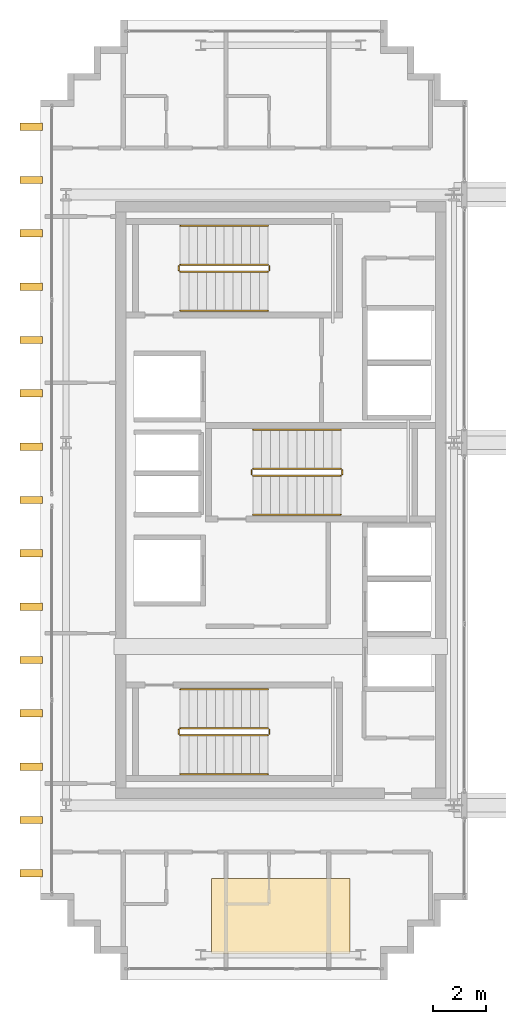
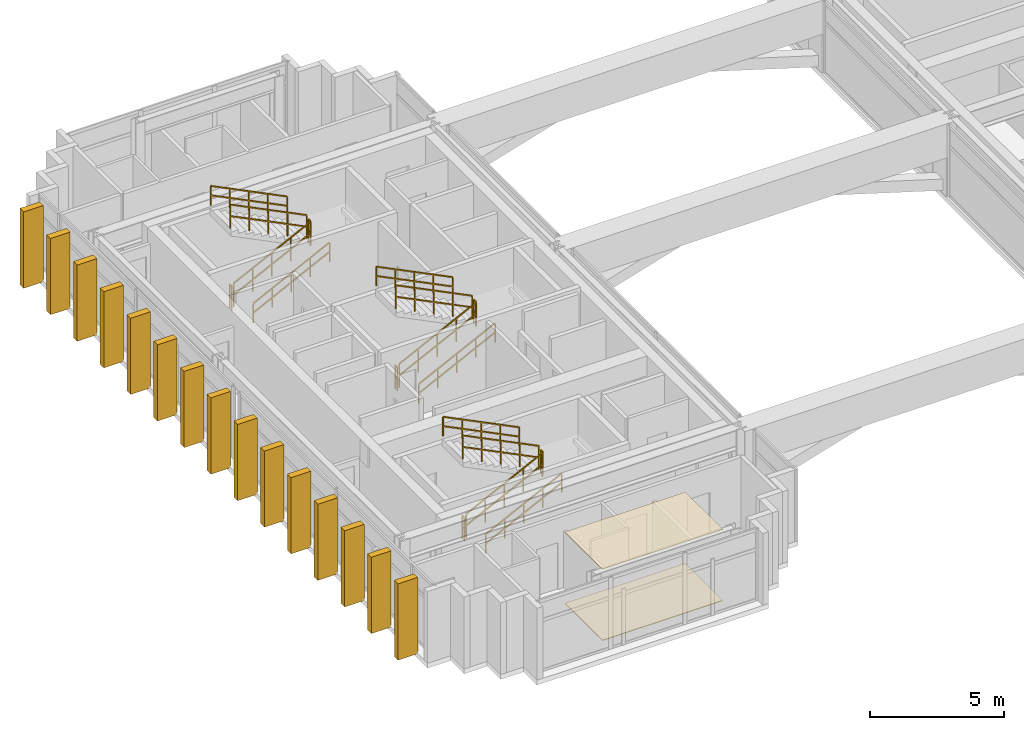
# One storey, part 27 of 28: 18 railings, 15 shading devices, 2 coverings.
"""IFC4 building model written with IfcOpenShell, lengths in metres."""

from ifc_helpers import new_model, si_unit, direction, frame, origin, origin_2d, place, context, subcontext, project, spatial, polyline, rectangle, outline, extrude, source, transform, mapped, material, layer, layer_set, type_object, element, save


model = new_model("IFC4")

# Units and contexts
model_context = context("Model", 3, precision=1e-05, world=origin(), true_north=direction((0.0, 1.0)))
body_context = subcontext(model_context, "Body", "Model", "MODEL_VIEW")
ifc_project = project(units=[si_unit("LENGTHUNIT", "METRE"), si_unit("AREAUNIT", "SQUARE_METRE"), si_unit("VOLUMEUNIT", "CUBIC_METRE"), si_unit("PLANEANGLEUNIT", "RADIAN"), si_unit("MASSUNIT", "GRAM", prefix="KILO")], contexts=[model_context])

# Site, building, storey
site_placement = place(None, origin())
site = spatial("IfcSite", under=ifc_project, at=site_placement, CompositionType="ELEMENT")
building_placement = place(site_placement, origin())
building = spatial("IfcBuilding", under=site, at=building_placement, Name="Ocotamira Hotel", CompositionType="ELEMENT")
storey_placement = place(building_placement, frame((0.0, 0.0, 268.800048828125)))
storey = spatial("IfcBuildingStorey", under=building, at=storey_placement, Name="L68", CompositionType="ELEMENT", Elevation=268.800048828125)

# Coverings
ifc_material_1 = material(Name="Perforated acoustic gypsum ceiling board", Category="gypsum")
ifc_layer_1 = layer(ifc_material_1, 0.02490234375)
ifc_layer_set_1 = layer_set([ifc_layer_1], Name="Perforated acoustic gypsum ceiling board")
covering_type_1 = type_object("IfcCoveringType", Name="COV-CEIL-25", PredefinedType="CEILING", material=ifc_layer_set_1)
covering_1_placement = place(storey_placement, frame((0.0, 0.0, 3.2548828125)))
element("IfcCovering", 1, at=covering_1_placement, inside=storey, type_object=covering_type_1, Name="L68 Acoustic Ceiling", PredefinedType="CEILING", context=body_context, shape_type="SweptSolid", body=[
    extrude(outline(polyline([(14.39990234375, 9.0), (19.60009765625, 9.0), (19.60009765625, 11.800048828125), (14.39990234375, 11.800048828125), (14.39990234375, 9.0)])), origin(), (0.0, 0.0, 1.0), 0.025146484375),
])
ifc_material_2 = material(Name="Honed desert travertine stone flooring", Category="masonry")
ifc_layer_2 = layer(ifc_material_2, 0.030029296875)
ifc_layer_set_2 = layer_set([ifc_layer_2], Name="Honed desert travertine stone flooring")
covering_type_2 = type_object("IfcCoveringType", Name="COV-FLOR-30", PredefinedType="FLOORING", material=ifc_layer_set_2)
covering_2_placement = place(storey_placement, origin())
element("IfcCovering", 2, at=covering_2_placement, inside=storey, type_object=covering_type_2, Name="L68 Honed Stone Floor Finish", PredefinedType="FLOORING", context=body_context, shape_type="SweptSolid", body=[
    extrude(outline(polyline([(14.39990234375, 9.0), (19.60009765625, 9.0), (19.60009765625, 11.800048828125), (14.39990234375, 11.800048828125), (14.39990234375, 9.0)])), origin(), (0.0, 0.0, 1.0), 0.030029296875),
])

# Railings
ifc_material_3 = material(Name="Brushed stainless steel handrail", Category="steel")
railing_type_1 = type_object("IfcRailingType", Name="RL-HAND-900", PredefinedType="HANDRAIL", material=ifc_material_3)
railing_1_placement = place(storey_placement, frame((13.22998046875, 15.719970703125, 0.3271484375)))
element("IfcRailing", 3, at=railing_1_placement, inside=storey, type_object=railing_type_1, Name="L68 ST-1 stair handrail 1", PredefinedType="HANDRAIL", context=body_context, shape_type="SweptSolid", body=[
    extrude(rectangle(XDim=0.048095703125, YDim=0.048095703125, at=origin_2d()), frame((0.0, 0.0, 0.8759765625), z_axis=(0.895893744519, 0.0, 0.4442683857), x_axis=(0.0, 1.0, 0.0)), (0.0, 0.0, 1.0), 3.68359375),
    extrude(rectangle(XDim=0.048095703125, YDim=0.048095703125, at=origin_2d()), frame((0.0, 0.0, 0.449951171875), z_axis=(0.895893744519, 0.0, 0.4442683857), x_axis=(0.0, 1.0, 0.0)), (0.0, 0.0, 1.0), 3.68359375),
    extrude(rectangle(XDim=0.0419921875, YDim=0.0419921875, at=origin_2d()), origin(), (0.0, 0.0, 1.0), 0.851806640625),
    extrude(rectangle(XDim=0.0419921875, YDim=0.0419921875, at=origin_2d()), frame((0.824951171875, 0.0, 0.4091796875)), (0.0, 0.0, 1.0), 0.851806640625),
    extrude(rectangle(XDim=0.0419921875, YDim=0.0419921875, at=origin_2d()), frame((1.64990234375, 0.0, 0.818359375)), (0.0, 0.0, 1.0), 0.851806640625),
    extrude(rectangle(XDim=0.0419921875, YDim=0.0419921875, at=origin_2d()), frame((2.47509765625, 0.0, 1.227294921875)), (0.0, 0.0, 1.0), 0.851806640625),
    extrude(rectangle(XDim=0.0419921875, YDim=0.0419921875, at=origin_2d()), frame((3.300048828125, 0.0, 1.636474609375)), (0.0, 0.0, 1.0), 0.851806640625),
])
railing_2_placement = place(storey_placement, frame((16.530029296875, 18.89990234375, 2.127197265625)))
element("IfcRailing", 4, at=railing_2_placement, inside=storey, type_object=railing_type_1, Name="L68 ST-1 stair handrail 2", PredefinedType="HANDRAIL", context=body_context, shape_type="SweptSolid", body=[
    extrude(rectangle(XDim=0.048095703125, YDim=0.048095703125, at=origin_2d()), frame((0.0, 0.0, 0.8759765625), z_axis=(-0.895893744519, 0.0, 0.4442683857), x_axis=(0.0, -1.0, 0.0)), (0.0, 0.0, 1.0), 3.68359375),
    extrude(rectangle(XDim=0.048095703125, YDim=0.048095703125, at=origin_2d()), frame((0.0, 0.0, 0.449951171875), z_axis=(-0.895893744519, 0.0, 0.4442683857), x_axis=(0.0, -1.0, 0.0)), (0.0, 0.0, 1.0), 3.68359375),
    extrude(rectangle(XDim=0.0419921875, YDim=0.0419921875, at=origin_2d()), origin(), (0.0, 0.0, 1.0), 0.851806640625),
    extrude(rectangle(XDim=0.0419921875, YDim=0.0419921875, at=origin_2d()), frame((-0.824951171875, 0.0, 0.4091796875)), (0.0, 0.0, 1.0), 0.851806640625),
    extrude(rectangle(XDim=0.0419921875, YDim=0.0419921875, at=origin_2d()), frame((-1.64990234375, 0.0, 0.818359375)), (0.0, 0.0, 1.0), 0.851806640625),
    extrude(rectangle(XDim=0.0419921875, YDim=0.0419921875, at=origin_2d()), frame((-2.47509765625, 0.0, 1.227294921875)), (0.0, 0.0, 1.0), 0.851806640625),
    extrude(rectangle(XDim=0.0419921875, YDim=0.0419921875, at=origin_2d()), frame((-3.300048828125, 0.0, 1.636474609375)), (0.0, 0.0, 1.0), 0.851806640625),
])
railing_3_placement = place(storey_placement, frame((13.22998046875, 33.10009765625, 0.3271484375)))
element("IfcRailing", 5, at=railing_3_placement, inside=storey, type_object=railing_type_1, Name="L68 ST-2 stair handrail 1", PredefinedType="HANDRAIL", context=body_context, shape_type="SweptSolid", body=[
    extrude(rectangle(XDim=0.048095703125, YDim=0.048095703125, at=origin_2d()), frame((0.0, 0.0, 0.8759765625), z_axis=(0.895893744519, 0.0, 0.4442683857), x_axis=(0.0, 1.0, 0.0)), (0.0, 0.0, 1.0), 3.68359375),
    extrude(rectangle(XDim=0.048095703125, YDim=0.048095703125, at=origin_2d()), frame((0.0, 0.0, 0.449951171875), z_axis=(0.895893744519, 0.0, 0.4442683857), x_axis=(0.0, 1.0, 0.0)), (0.0, 0.0, 1.0), 3.68359375),
    extrude(rectangle(XDim=0.0419921875, YDim=0.0419921875, at=origin_2d()), origin(), (0.0, 0.0, 1.0), 0.851806640625),
    extrude(rectangle(XDim=0.0419921875, YDim=0.0419921875, at=origin_2d()), frame((0.824951171875, 0.0, 0.4091796875)), (0.0, 0.0, 1.0), 0.851806640625),
    extrude(rectangle(XDim=0.0419921875, YDim=0.0419921875, at=origin_2d()), frame((1.64990234375, 0.0, 0.818359375)), (0.0, 0.0, 1.0), 0.851806640625),
    extrude(rectangle(XDim=0.0419921875, YDim=0.0419921875, at=origin_2d()), frame((2.47509765625, 0.0, 1.227294921875)), (0.0, 0.0, 1.0), 0.851806640625),
    extrude(rectangle(XDim=0.0419921875, YDim=0.0419921875, at=origin_2d()), frame((3.300048828125, 0.0, 1.636474609375)), (0.0, 0.0, 1.0), 0.851806640625),
])
railing_4_placement = place(storey_placement, frame((16.530029296875, 36.280029296875, 2.127197265625)))
element("IfcRailing", 6, at=railing_4_placement, inside=storey, type_object=railing_type_1, Name="L68 ST-2 stair handrail 2", PredefinedType="HANDRAIL", context=body_context, shape_type="SweptSolid", body=[
    extrude(rectangle(XDim=0.048095703125, YDim=0.048095703125, at=origin_2d()), frame((0.0, 0.0, 0.8759765625), z_axis=(-0.895893744519, 0.0, 0.4442683857), x_axis=(0.0, -1.0, 0.0)), (0.0, 0.0, 1.0), 3.68359375),
    extrude(rectangle(XDim=0.048095703125, YDim=0.048095703125, at=origin_2d()), frame((0.0, 0.0, 0.449951171875), z_axis=(-0.895893744519, 0.0, 0.4442683857), x_axis=(0.0, -1.0, 0.0)), (0.0, 0.0, 1.0), 3.68359375),
    extrude(rectangle(XDim=0.0419921875, YDim=0.0419921875, at=origin_2d()), origin(), (0.0, 0.0, 1.0), 0.851806640625),
    extrude(rectangle(XDim=0.0419921875, YDim=0.0419921875, at=origin_2d()), frame((-0.824951171875, 0.0, 0.4091796875)), (0.0, 0.0, 1.0), 0.851806640625),
    extrude(rectangle(XDim=0.0419921875, YDim=0.0419921875, at=origin_2d()), frame((-1.64990234375, 0.0, 0.818359375)), (0.0, 0.0, 1.0), 0.851806640625),
    extrude(rectangle(XDim=0.0419921875, YDim=0.0419921875, at=origin_2d()), frame((-2.47509765625, 0.0, 1.227294921875)), (0.0, 0.0, 1.0), 0.851806640625),
    extrude(rectangle(XDim=0.0419921875, YDim=0.0419921875, at=origin_2d()), frame((-3.300048828125, 0.0, 1.636474609375)), (0.0, 0.0, 1.0), 0.851806640625),
])
railing_5_placement = place(storey_placement, frame((15.9599609375, 25.449951171875, 0.3271484375)))
element("IfcRailing", 7, at=railing_5_placement, inside=storey, type_object=railing_type_1, Name="L68 ST-3 stair handrail 1", PredefinedType="HANDRAIL", context=body_context, shape_type="SweptSolid", body=[
    extrude(rectangle(XDim=0.048095703125, YDim=0.048095703125, at=origin_2d()), frame((0.0, 0.0, 0.8759765625), z_axis=(0.895893744519, 0.0, 0.4442683857), x_axis=(0.0, 1.0, 0.0)), (0.0, 0.0, 1.0), 3.68359375),
    extrude(rectangle(XDim=0.048095703125, YDim=0.048095703125, at=origin_2d()), frame((0.0, 0.0, 0.449951171875), z_axis=(0.895893744519, 0.0, 0.4442683857), x_axis=(0.0, 1.0, 0.0)), (0.0, 0.0, 1.0), 3.68359375),
    extrude(rectangle(XDim=0.0419921875, YDim=0.0419921875, at=origin_2d()), origin(), (0.0, 0.0, 1.0), 0.851806640625),
    extrude(rectangle(XDim=0.0419921875, YDim=0.0419921875, at=origin_2d()), frame((0.824951171875, 0.0, 0.4091796875)), (0.0, 0.0, 1.0), 0.851806640625),
    extrude(rectangle(XDim=0.0419921875, YDim=0.0419921875, at=origin_2d()), frame((1.64990234375, 0.0, 0.818359375)), (0.0, 0.0, 1.0), 0.851806640625),
    extrude(rectangle(XDim=0.0419921875, YDim=0.0419921875, at=origin_2d()), frame((2.47509765625, 0.0, 1.227294921875)), (0.0, 0.0, 1.0), 0.851806640625),
    extrude(rectangle(XDim=0.0419921875, YDim=0.0419921875, at=origin_2d()), frame((3.300048828125, 0.0, 1.636474609375)), (0.0, 0.0, 1.0), 0.851806640625),
])
railing_6_placement = place(storey_placement, frame((19.260009765625, 28.6298828125, 2.127197265625)))
element("IfcRailing", 8, at=railing_6_placement, inside=storey, type_object=railing_type_1, Name="L68 ST-3 stair handrail 2", PredefinedType="HANDRAIL", context=body_context, shape_type="SweptSolid", body=[
    extrude(rectangle(XDim=0.048095703125, YDim=0.048095703125, at=origin_2d()), frame((0.0, 0.0, 0.8759765625), z_axis=(-0.895893744519, 0.0, 0.4442683857), x_axis=(0.0, -1.0, 0.0)), (0.0, 0.0, 1.0), 3.68359375),
    extrude(rectangle(XDim=0.048095703125, YDim=0.048095703125, at=origin_2d()), frame((0.0, 0.0, 0.449951171875), z_axis=(-0.895893744519, 0.0, 0.4442683857), x_axis=(0.0, -1.0, 0.0)), (0.0, 0.0, 1.0), 3.68359375),
    extrude(rectangle(XDim=0.0419921875, YDim=0.0419921875, at=origin_2d()), origin(), (0.0, 0.0, 1.0), 0.851806640625),
    extrude(rectangle(XDim=0.0419921875, YDim=0.0419921875, at=origin_2d()), frame((-0.824951171875, 0.0, 0.4091796875)), (0.0, 0.0, 1.0), 0.851806640625),
    extrude(rectangle(XDim=0.0419921875, YDim=0.0419921875, at=origin_2d()), frame((-1.64990234375, 0.0, 0.818359375)), (0.0, 0.0, 1.0), 0.851806640625),
    extrude(rectangle(XDim=0.0419921875, YDim=0.0419921875, at=origin_2d()), frame((-2.47509765625, 0.0, 1.227294921875)), (0.0, 0.0, 1.0), 0.851806640625),
    extrude(rectangle(XDim=0.0419921875, YDim=0.0419921875, at=origin_2d()), frame((-3.300048828125, 0.0, 1.636474609375)), (0.0, 0.0, 1.0), 0.851806640625),
])
ifc_material_4 = material(Name="Painted steel stair guardrail", Category="steel")
railing_type_2 = type_object("IfcRailingType", Name="RL-STAIR-1100", PredefinedType="GUARDRAIL", material=ifc_material_4)
railing_7_placement = place(storey_placement, frame((13.22998046875, 17.179931640625, 0.16357421875)))
element("IfcRailing", 9, at=railing_7_placement, inside=storey, type_object=railing_type_2, Name="L68 ST-1 stair guard 1", PredefinedType="GUARDRAIL", context=body_context, shape_type="SweptSolid", body=[
    extrude(rectangle(XDim=0.048095703125, YDim=0.048095703125, at=origin_2d()), frame((0.0, 0.0, 1.076171875), z_axis=(0.895893744519, 0.0, 0.4442683857), x_axis=(0.0, 1.0, 0.0)), (0.0, 0.0, 1.0), 3.68359375),
    extrude(rectangle(XDim=0.048095703125, YDim=0.048095703125, at=origin_2d()), frame((0.0, 0.0, 0.550048828125), z_axis=(0.895893744519, 0.0, 0.4442683857), x_axis=(0.0, 1.0, 0.0)), (0.0, 0.0, 1.0), 3.68359375),
    extrude(rectangle(XDim=0.0419921875, YDim=0.0419921875, at=origin_2d()), origin(), (0.0, 0.0, 1.0), 1.052001953125),
    extrude(rectangle(XDim=0.0419921875, YDim=0.0419921875, at=origin_2d()), frame((0.824951171875, 0.0, 0.4091796875)), (0.0, 0.0, 1.0), 1.052001953125),
    extrude(rectangle(XDim=0.0419921875, YDim=0.0419921875, at=origin_2d()), frame((1.64990234375, 0.0, 0.818359375)), (0.0, 0.0, 1.0), 1.052001953125),
    extrude(rectangle(XDim=0.0419921875, YDim=0.0419921875, at=origin_2d()), frame((2.47509765625, 0.0, 1.227294921875)), (0.0, 0.0, 1.0), 1.052001953125),
    extrude(rectangle(XDim=0.0419921875, YDim=0.0419921875, at=origin_2d()), frame((3.300048828125, 0.0, 1.636474609375)), (0.0, 0.0, 1.0), 1.052001953125),
])
railing_8_placement = place(storey_placement, frame((16.580078125, 17.22998046875, 1.800048828125)))
element("IfcRailing", 10, at=railing_8_placement, inside=storey, type_object=railing_type_2, Name="L68 ST-1 stair guard 2", PredefinedType="GUARDRAIL", context=body_context, shape_type="SweptSolid", body=[
    extrude(rectangle(XDim=0.048095703125, YDim=0.048095703125, at=origin_2d()), frame((0.0, 0.0, 1.076171875), z_axis=(0.0, 1.0, 0.0), x_axis=(-1.0, 0.0, 0.0)), (0.0, 0.0, 1.0), 0.159912109375),
    extrude(rectangle(XDim=0.048095703125, YDim=0.048095703125, at=origin_2d()), frame((0.0, 0.0, 0.550048828125), z_axis=(0.0, 1.0, 0.0), x_axis=(-1.0, 0.0, 0.0)), (0.0, 0.0, 1.0), 0.159912109375),
    extrude(rectangle(XDim=0.0419921875, YDim=0.0419921875, at=origin_2d()), origin(), (0.0, 0.0, 1.0), 1.052001953125),
    extrude(rectangle(XDim=0.0419921875, YDim=0.0419921875, at=origin_2d()), frame((0.0, 0.159912109375, 0.0)), (0.0, 0.0, 1.0), 1.052001953125),
])
railing_9_placement = place(storey_placement, frame((16.530029296875, 17.43994140625, 1.963623046875)))
element("IfcRailing", 11, at=railing_9_placement, inside=storey, type_object=railing_type_2, Name="L68 ST-1 stair guard 3", PredefinedType="GUARDRAIL", context=body_context, shape_type="SweptSolid", body=[
    extrude(rectangle(XDim=0.048095703125, YDim=0.048095703125, at=origin_2d()), frame((0.0, 0.0, 1.076171875), z_axis=(-0.895920123917, 0.0, 0.444215186098), x_axis=(0.0, -1.0, 0.0)), (0.0, 0.0, 1.0), 3.683349609375),
    extrude(rectangle(XDim=0.048095703125, YDim=0.048095703125, at=origin_2d()), frame((0.0, 0.0, 0.550048828125), z_axis=(-0.895920123917, 0.0, 0.444215186098), x_axis=(0.0, -1.0, 0.0)), (0.0, 0.0, 1.0), 3.683349609375),
    extrude(rectangle(XDim=0.0419921875, YDim=0.0419921875, at=origin_2d()), origin(), (0.0, 0.0, 1.0), 1.052001953125),
    extrude(rectangle(XDim=0.0419921875, YDim=0.0419921875, at=origin_2d()), frame((-0.824951171875, 0.0, 0.4091796875)), (0.0, 0.0, 1.0), 1.052001953125),
    extrude(rectangle(XDim=0.0419921875, YDim=0.0419921875, at=origin_2d()), frame((-1.64990234375, 0.0, 0.818115234375)), (0.0, 0.0, 1.0), 1.052001953125),
    extrude(rectangle(XDim=0.0419921875, YDim=0.0419921875, at=origin_2d()), frame((-2.47509765625, 0.0, 1.22705078125)), (0.0, 0.0, 1.0), 1.052001953125),
    extrude(rectangle(XDim=0.0419921875, YDim=0.0419921875, at=origin_2d()), frame((-3.300048828125, 0.0, 1.63623046875)), (0.0, 0.0, 1.0), 1.052001953125),
])
railing_10_placement = place(storey_placement, frame((13.179931640625, 17.22998046875, 0.0)))
element("IfcRailing", 12, at=railing_10_placement, inside=storey, type_object=railing_type_2, Name="L68 ST-1 stair guard 4", PredefinedType="GUARDRAIL", context=body_context, shape_type="SweptSolid", body=[
    extrude(rectangle(XDim=0.048095703125, YDim=0.048095703125, at=origin_2d()), frame((0.0, 0.0, 1.076171875), z_axis=(0.0, 1.0, 0.0), x_axis=(-1.0, 0.0, 0.0)), (0.0, 0.0, 1.0), 0.159912109375),
    extrude(rectangle(XDim=0.048095703125, YDim=0.048095703125, at=origin_2d()), frame((0.0, 0.0, 0.550048828125), z_axis=(0.0, 1.0, 0.0), x_axis=(-1.0, 0.0, 0.0)), (0.0, 0.0, 1.0), 0.159912109375),
    extrude(rectangle(XDim=0.0419921875, YDim=0.0419921875, at=origin_2d()), origin(), (0.0, 0.0, 1.0), 1.052001953125),
    extrude(rectangle(XDim=0.0419921875, YDim=0.0419921875, at=origin_2d()), frame((0.0, 0.159912109375, 0.0)), (0.0, 0.0, 1.0), 1.052001953125),
])
railing_11_placement = place(storey_placement, frame((13.22998046875, 34.56005859375, 0.16357421875)))
element("IfcRailing", 13, at=railing_11_placement, inside=storey, type_object=railing_type_2, Name="L68 ST-2 stair guard 1", PredefinedType="GUARDRAIL", context=body_context, shape_type="SweptSolid", body=[
    extrude(rectangle(XDim=0.048095703125, YDim=0.048095703125, at=origin_2d()), frame((0.0, 0.0, 1.076171875), z_axis=(0.895893744519, 0.0, 0.4442683857), x_axis=(0.0, 1.0, 0.0)), (0.0, 0.0, 1.0), 3.68359375),
    extrude(rectangle(XDim=0.048095703125, YDim=0.048095703125, at=origin_2d()), frame((0.0, 0.0, 0.550048828125), z_axis=(0.895893744519, 0.0, 0.4442683857), x_axis=(0.0, 1.0, 0.0)), (0.0, 0.0, 1.0), 3.68359375),
    extrude(rectangle(XDim=0.0419921875, YDim=0.0419921875, at=origin_2d()), origin(), (0.0, 0.0, 1.0), 1.052001953125),
    extrude(rectangle(XDim=0.0419921875, YDim=0.0419921875, at=origin_2d()), frame((0.824951171875, 0.0, 0.4091796875)), (0.0, 0.0, 1.0), 1.052001953125),
    extrude(rectangle(XDim=0.0419921875, YDim=0.0419921875, at=origin_2d()), frame((1.64990234375, 0.0, 0.818359375)), (0.0, 0.0, 1.0), 1.052001953125),
    extrude(rectangle(XDim=0.0419921875, YDim=0.0419921875, at=origin_2d()), frame((2.47509765625, 0.0, 1.227294921875)), (0.0, 0.0, 1.0), 1.052001953125),
    extrude(rectangle(XDim=0.0419921875, YDim=0.0419921875, at=origin_2d()), frame((3.300048828125, 0.0, 1.636474609375)), (0.0, 0.0, 1.0), 1.052001953125),
])
railing_12_placement = place(storey_placement, frame((16.580078125, 34.610107421875, 1.800048828125)))
element("IfcRailing", 14, at=railing_12_placement, inside=storey, type_object=railing_type_2, Name="L68 ST-2 stair guard 2", PredefinedType="GUARDRAIL", context=body_context, shape_type="SweptSolid", body=[
    extrude(rectangle(XDim=0.048095703125, YDim=0.048095703125, at=origin_2d()), frame((0.0, 0.0, 1.076171875), z_axis=(0.0, 1.0, 0.0), x_axis=(-1.0, 0.0, 0.0)), (0.0, 0.0, 1.0), 0.159912109375),
    extrude(rectangle(XDim=0.048095703125, YDim=0.048095703125, at=origin_2d()), frame((0.0, 0.0, 0.550048828125), z_axis=(0.0, 1.0, 0.0), x_axis=(-1.0, 0.0, 0.0)), (0.0, 0.0, 1.0), 0.159912109375),
    extrude(rectangle(XDim=0.0419921875, YDim=0.0419921875, at=origin_2d()), origin(), (0.0, 0.0, 1.0), 1.052001953125),
    extrude(rectangle(XDim=0.0419921875, YDim=0.0419921875, at=origin_2d()), frame((0.0, 0.159912109375, 0.0)), (0.0, 0.0, 1.0), 1.052001953125),
])
railing_13_placement = place(storey_placement, frame((16.530029296875, 34.820068359375, 1.963623046875)))
element("IfcRailing", 15, at=railing_13_placement, inside=storey, type_object=railing_type_2, Name="L68 ST-2 stair guard 3", PredefinedType="GUARDRAIL", context=body_context, shape_type="SweptSolid", body=[
    extrude(rectangle(XDim=0.048095703125, YDim=0.048095703125, at=origin_2d()), frame((0.0, 0.0, 1.076171875), z_axis=(-0.895920123917, 0.0, 0.444215186098), x_axis=(0.0, -1.0, 0.0)), (0.0, 0.0, 1.0), 3.683349609375),
    extrude(rectangle(XDim=0.048095703125, YDim=0.048095703125, at=origin_2d()), frame((0.0, 0.0, 0.550048828125), z_axis=(-0.895920123917, 0.0, 0.444215186098), x_axis=(0.0, -1.0, 0.0)), (0.0, 0.0, 1.0), 3.683349609375),
    extrude(rectangle(XDim=0.0419921875, YDim=0.0419921875, at=origin_2d()), origin(), (0.0, 0.0, 1.0), 1.052001953125),
    extrude(rectangle(XDim=0.0419921875, YDim=0.0419921875, at=origin_2d()), frame((-0.824951171875, 0.0, 0.4091796875)), (0.0, 0.0, 1.0), 1.052001953125),
    extrude(rectangle(XDim=0.0419921875, YDim=0.0419921875, at=origin_2d()), frame((-1.64990234375, 0.0, 0.818115234375)), (0.0, 0.0, 1.0), 1.052001953125),
    extrude(rectangle(XDim=0.0419921875, YDim=0.0419921875, at=origin_2d()), frame((-2.47509765625, 0.0, 1.22705078125)), (0.0, 0.0, 1.0), 1.052001953125),
    extrude(rectangle(XDim=0.0419921875, YDim=0.0419921875, at=origin_2d()), frame((-3.300048828125, 0.0, 1.63623046875)), (0.0, 0.0, 1.0), 1.052001953125),
])
railing_14_placement = place(storey_placement, frame((13.179931640625, 34.610107421875, 0.0)))
element("IfcRailing", 16, at=railing_14_placement, inside=storey, type_object=railing_type_2, Name="L68 ST-2 stair guard 4", PredefinedType="GUARDRAIL", context=body_context, shape_type="SweptSolid", body=[
    extrude(rectangle(XDim=0.048095703125, YDim=0.048095703125, at=origin_2d()), frame((0.0, 0.0, 1.076171875), z_axis=(0.0, 1.0, 0.0), x_axis=(-1.0, 0.0, 0.0)), (0.0, 0.0, 1.0), 0.159912109375),
    extrude(rectangle(XDim=0.048095703125, YDim=0.048095703125, at=origin_2d()), frame((0.0, 0.0, 0.550048828125), z_axis=(0.0, 1.0, 0.0), x_axis=(-1.0, 0.0, 0.0)), (0.0, 0.0, 1.0), 0.159912109375),
    extrude(rectangle(XDim=0.0419921875, YDim=0.0419921875, at=origin_2d()), origin(), (0.0, 0.0, 1.0), 1.052001953125),
    extrude(rectangle(XDim=0.0419921875, YDim=0.0419921875, at=origin_2d()), frame((0.0, 0.159912109375, 0.0)), (0.0, 0.0, 1.0), 1.052001953125),
])
railing_15_placement = place(storey_placement, frame((15.9599609375, 26.909912109375, 0.16357421875)))
element("IfcRailing", 17, at=railing_15_placement, inside=storey, type_object=railing_type_2, Name="L68 ST-3 stair guard 1", PredefinedType="GUARDRAIL", context=body_context, shape_type="SweptSolid", body=[
    extrude(rectangle(XDim=0.048095703125, YDim=0.048095703125, at=origin_2d()), frame((0.0, 0.0, 1.076171875), z_axis=(0.895893744519, 0.0, 0.4442683857), x_axis=(0.0, 1.0, 0.0)), (0.0, 0.0, 1.0), 3.68359375),
    extrude(rectangle(XDim=0.048095703125, YDim=0.048095703125, at=origin_2d()), frame((0.0, 0.0, 0.550048828125), z_axis=(0.895893744519, 0.0, 0.4442683857), x_axis=(0.0, 1.0, 0.0)), (0.0, 0.0, 1.0), 3.68359375),
    extrude(rectangle(XDim=0.0419921875, YDim=0.0419921875, at=origin_2d()), origin(), (0.0, 0.0, 1.0), 1.052001953125),
    extrude(rectangle(XDim=0.0419921875, YDim=0.0419921875, at=origin_2d()), frame((0.824951171875, 0.0, 0.4091796875)), (0.0, 0.0, 1.0), 1.052001953125),
    extrude(rectangle(XDim=0.0419921875, YDim=0.0419921875, at=origin_2d()), frame((1.64990234375, 0.0, 0.818359375)), (0.0, 0.0, 1.0), 1.052001953125),
    extrude(rectangle(XDim=0.0419921875, YDim=0.0419921875, at=origin_2d()), frame((2.47509765625, 0.0, 1.227294921875)), (0.0, 0.0, 1.0), 1.052001953125),
    extrude(rectangle(XDim=0.0419921875, YDim=0.0419921875, at=origin_2d()), frame((3.300048828125, 0.0, 1.636474609375)), (0.0, 0.0, 1.0), 1.052001953125),
])
railing_16_placement = place(storey_placement, frame((19.31005859375, 26.9599609375, 1.800048828125)))
element("IfcRailing", 18, at=railing_16_placement, inside=storey, type_object=railing_type_2, Name="L68 ST-3 stair guard 2", PredefinedType="GUARDRAIL", context=body_context, shape_type="SweptSolid", body=[
    extrude(rectangle(XDim=0.048095703125, YDim=0.048095703125, at=origin_2d()), frame((0.0, 0.0, 1.076171875), z_axis=(0.0, 1.0, 0.0), x_axis=(-1.0, 0.0, 0.0)), (0.0, 0.0, 1.0), 0.16015625),
    extrude(rectangle(XDim=0.048095703125, YDim=0.048095703125, at=origin_2d()), frame((0.0, 0.0, 0.550048828125), z_axis=(0.0, 1.0, 0.0), x_axis=(-1.0, 0.0, 0.0)), (0.0, 0.0, 1.0), 0.16015625),
    extrude(rectangle(XDim=0.0419921875, YDim=0.0419921875, at=origin_2d()), origin(), (0.0, 0.0, 1.0), 1.052001953125),
    extrude(rectangle(XDim=0.0419921875, YDim=0.0419921875, at=origin_2d()), frame((0.0, 0.16015625, 0.0)), (0.0, 0.0, 1.0), 1.052001953125),
])
railing_17_placement = place(storey_placement, frame((19.260009765625, 27.169921875, 1.963623046875)))
element("IfcRailing", 19, at=railing_17_placement, inside=storey, type_object=railing_type_2, Name="L68 ST-3 stair guard 3", PredefinedType="GUARDRAIL", context=body_context, shape_type="SweptSolid", body=[
    extrude(rectangle(XDim=0.048095703125, YDim=0.048095703125, at=origin_2d()), frame((0.0, 0.0, 1.076171875), z_axis=(-0.895920123917, 0.0, 0.444215186098), x_axis=(0.0, -1.0, 0.0)), (0.0, 0.0, 1.0), 3.683349609375),
    extrude(rectangle(XDim=0.048095703125, YDim=0.048095703125, at=origin_2d()), frame((0.0, 0.0, 0.550048828125), z_axis=(-0.895920123917, 0.0, 0.444215186098), x_axis=(0.0, -1.0, 0.0)), (0.0, 0.0, 1.0), 3.683349609375),
    extrude(rectangle(XDim=0.0419921875, YDim=0.0419921875, at=origin_2d()), origin(), (0.0, 0.0, 1.0), 1.052001953125),
    extrude(rectangle(XDim=0.0419921875, YDim=0.0419921875, at=origin_2d()), frame((-0.824951171875, 0.0, 0.4091796875)), (0.0, 0.0, 1.0), 1.052001953125),
    extrude(rectangle(XDim=0.0419921875, YDim=0.0419921875, at=origin_2d()), frame((-1.64990234375, 0.0, 0.818115234375)), (0.0, 0.0, 1.0), 1.052001953125),
    extrude(rectangle(XDim=0.0419921875, YDim=0.0419921875, at=origin_2d()), frame((-2.47509765625, 0.0, 1.22705078125)), (0.0, 0.0, 1.0), 1.052001953125),
    extrude(rectangle(XDim=0.0419921875, YDim=0.0419921875, at=origin_2d()), frame((-3.300048828125, 0.0, 1.63623046875)), (0.0, 0.0, 1.0), 1.052001953125),
])
railing_18_placement = place(storey_placement, frame((15.909912109375, 26.9599609375, 0.0)))
element("IfcRailing", 20, at=railing_18_placement, inside=storey, type_object=railing_type_2, Name="L68 ST-3 stair guard 4", PredefinedType="GUARDRAIL", context=body_context, shape_type="SweptSolid", body=[
    extrude(rectangle(XDim=0.048095703125, YDim=0.048095703125, at=origin_2d()), frame((0.0, 0.0, 1.076171875), z_axis=(0.0, 1.0, 0.0), x_axis=(-1.0, 0.0, 0.0)), (0.0, 0.0, 1.0), 0.16015625),
    extrude(rectangle(XDim=0.048095703125, YDim=0.048095703125, at=origin_2d()), frame((0.0, 0.0, 0.550048828125), z_axis=(0.0, 1.0, 0.0), x_axis=(-1.0, 0.0, 0.0)), (0.0, 0.0, 1.0), 0.16015625),
    extrude(rectangle(XDim=0.0419921875, YDim=0.0419921875, at=origin_2d()), origin(), (0.0, 0.0, 1.0), 1.052001953125),
    extrude(rectangle(XDim=0.0419921875, YDim=0.0419921875, at=origin_2d()), frame((0.0, 0.16015625, 0.0)), (0.0, 0.0, 1.0), 1.052001953125),
])

# Shading devices
ifc_material_5 = material(Name="Pale-metal anodised aluminium architectural fin", Category="aluminium")
shading_device_type = type_object("IfcShadingDeviceType", Name="SHD-PIER-850", PredefinedType="USERDEFINED", material=ifc_material_5)
shared_shape = source(origin(), body_context, "Body", "SweptSolid", [
    extrude(rectangle(XDim=0.85009765625, YDim=0.280029296875, at=origin_2d()), origin(), (0.0, 0.0, 1.0), 3.47998046875),
])
for number, where, z_axis, x_axis, name in (
    (21, (7.64990234375, 12.0, -0.10009765625), (0.0, 0.0, 1.0), (1.0, 0.0, 0.0), "L68 Vertical Pale-Metal Pier W Y12"),
    (22, (7.64990234375, 14.0, -0.10009765625), (0.0, 0.0, 1.0), (1.0, 0.0, 0.0), "L68 Vertical Pale-Metal Pier W Y14"),
    (23, (7.64990234375, 16.0, -0.10009765625), (0.0, 0.0, 1.0), (1.0, 0.0, 0.0), "L68 Vertical Pale-Metal Pier W Y16"),
    (24, (7.64990234375, 18.0, -0.10009765625), (0.0, 0.0, 1.0), (1.0, 0.0, 0.0), "L68 Vertical Pale-Metal Pier W Y18"),
    (25, (7.64990234375, 20.0, -0.10009765625), (0.0, 0.0, 1.0), (1.0, 0.0, 0.0), "L68 Vertical Pale-Metal Pier W Y20"),
    (26, (7.64990234375, 22.0, -0.10009765625), (0.0, 0.0, 1.0), (1.0, 0.0, 0.0), "L68 Vertical Pale-Metal Pier W Y22"),
    (27, (7.64990234375, 24.0, -0.10009765625), (0.0, 0.0, 1.0), (1.0, 0.0, 0.0), "L68 Vertical Pale-Metal Pier W Y24"),
    (28, (7.64990234375, 26.0, -0.10009765625), (0.0, 0.0, 1.0), (1.0, 0.0, 0.0), "L68 Vertical Pale-Metal Pier W Y26"),
    (29, (7.64990234375, 28.0, -0.10009765625), (0.0, 0.0, 1.0), (1.0, 0.0, 0.0), "L68 Vertical Pale-Metal Pier W Y28"),
    (30, (7.64990234375, 30.0, -0.10009765625), (0.0, 0.0, 1.0), (1.0, 0.0, 0.0), "L68 Vertical Pale-Metal Pier W Y30"),
    (31, (7.64990234375, 32.0, -0.10009765625), (0.0, 0.0, 1.0), (1.0, 0.0, 0.0), "L68 Vertical Pale-Metal Pier W Y32"),
    (32, (7.64990234375, 34.0, -0.10009765625), (0.0, 0.0, 1.0), (1.0, 0.0, 0.0), "L68 Vertical Pale-Metal Pier W Y34"),
    (33, (7.64990234375, 36.0, -0.10009765625), (0.0, 0.0, 1.0), (1.0, 0.0, 0.0), "L68 Vertical Pale-Metal Pier W Y36"),
    (34, (7.64990234375, 38.0, -0.10009765625), (0.0, 0.0, 1.0), (1.0, 0.0, 0.0), "L68 Vertical Pale-Metal Pier W Y38"),
    (35, (7.64990234375, 40.0, -0.10009765625), (0.0, 0.0, 1.0), (1.0, 0.0, 0.0), "L68 Vertical Pale-Metal Pier W Y40"),
):
    element("IfcShadingDevice", number, at=place(storey_placement, frame(where, z_axis=z_axis, x_axis=x_axis)), inside=storey, type_object=shading_device_type, Name=name, ObjectType="FIN", PredefinedType="USERDEFINED", context=body_context, shape_type="MappedRepresentation", body=[
        mapped(shared_shape, transform((0.0, 0.0, 0.0), scale=1.0)),
    ])

save(model, "model.ifc")
